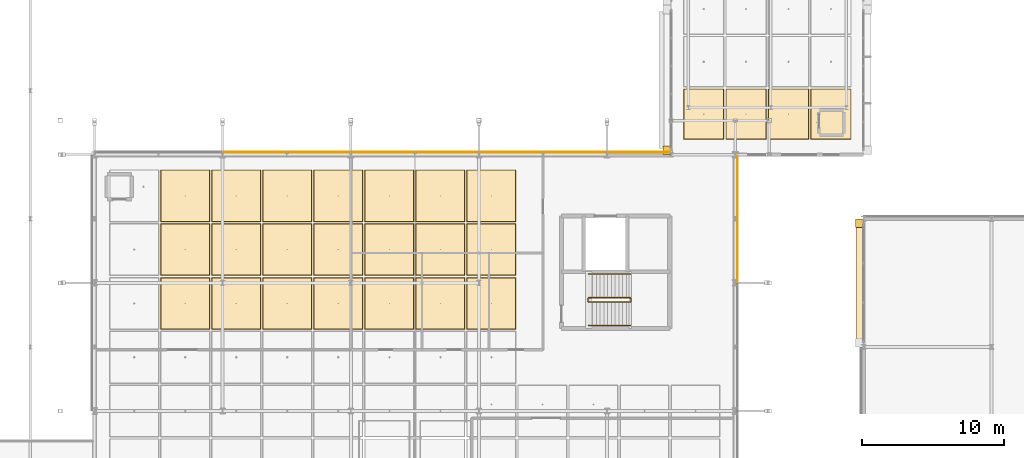
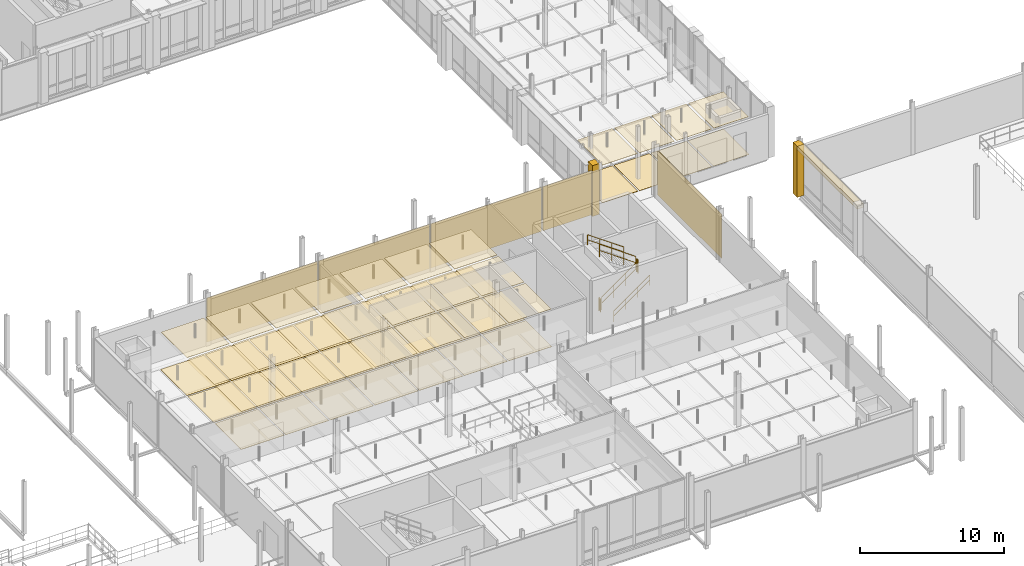
# One storey, part 121 of 130: 58 coverings, 6 railings.
"""IFC4 building model written with IfcOpenShell, lengths in metres."""

from ifc_helpers import new_model, si_unit, direction, frame, origin, origin_2d, place, context, subcontext, project, spatial, rectangle, circle, extrude, material, layer, layer_set, type_object, element, save


model = new_model("IFC4")

# Units and contexts
model_context = context("Model", 3, precision=1e-05, world=origin(), true_north=direction((0.0, 1.0)))
body_context = subcontext(model_context, "Body", "Model", "MODEL_VIEW")
ifc_project = project(units=[si_unit("LENGTHUNIT", "METRE"), si_unit("AREAUNIT", "SQUARE_METRE"), si_unit("VOLUMEUNIT", "CUBIC_METRE"), si_unit("PLANEANGLEUNIT", "RADIAN"), si_unit("MASSUNIT", "GRAM", prefix="KILO"), si_unit("THERMODYNAMICTEMPERATUREUNIT", "KELVIN"), si_unit("POWERUNIT", "WATT")], contexts=[model_context])

# Site, building, storey
site_placement = place(None, origin())
site = spatial("IfcSite", under=ifc_project, at=site_placement, CompositionType="ELEMENT")
building_placement = place(site_placement, origin())
building = spatial("IfcBuilding", under=site, at=building_placement, Name="Tallowbark Science Centre", CompositionType="ELEMENT")
storey_placement = place(building_placement, frame((0.0, 0.0, 5.39990234375)))
storey = spatial("IfcBuildingStorey", under=building, at=storey_placement, Name="L01", CompositionType="ELEMENT", Elevation=5.39990234375)

# Coverings
ifc_material_1 = material(Name="Perforated Spotted Gum Acoustic Baffle Ceiling", Category="wood")
ifc_layer_1 = layer(ifc_material_1, 0.02490234375)
ifc_layer_set_1 = layer_set([ifc_layer_1], Name="Perforated Spotted Gum Acoustic Baffle Ceiling")
covering_type_1 = type_object("IfcCoveringType", Name="CLG-TIM-25", PredefinedType="CEILING", material=ifc_layer_set_1)
for number, where, z_axis, x_axis, name in (
    (1, (64.875, 30.0556640625, 3.187744140625), (0.0, 0.0, 1.0), (1.0, 0.0, 0.0), "Suspended Ceiling L01-492"),
    (2, (64.875, 33.833251953125, 3.187744140625), (0.0, 0.0, 1.0), (1.0, 0.0, 0.0), "Suspended Ceiling L01-493"),
    (3, (64.875, 37.611083984375, 3.187744140625), (0.0, 0.0, 1.0), (1.0, 0.0, 0.0), "Suspended Ceiling L01-494"),
    (4, (68.458251953125, 30.0556640625, 3.187744140625), (0.0, 0.0, 1.0), (1.0, 0.0, 0.0), "Suspended Ceiling L01-498"),
    (5, (68.458251953125, 33.833251953125, 3.187744140625), (0.0, 0.0, 1.0), (1.0, 0.0, 0.0), "Suspended Ceiling L01-499"),
    (6, (68.458251953125, 37.611083984375, 3.187744140625), (0.0, 0.0, 1.0), (1.0, 0.0, 0.0), "Suspended Ceiling L01-500"),
    (7, (72.041748046875, 30.0556640625, 3.187744140625), (0.0, 0.0, 1.0), (1.0, 0.0, 0.0), "Suspended Ceiling L01-504"),
    (8, (72.041748046875, 33.833251953125, 3.187744140625), (0.0, 0.0, 1.0), (1.0, 0.0, 0.0), "Suspended Ceiling L01-505"),
    (9, (72.041748046875, 37.611083984375, 3.187744140625), (0.0, 0.0, 1.0), (1.0, 0.0, 0.0), "Suspended Ceiling L01-506"),
    (10, (75.625, 30.0556640625, 3.187744140625), (0.0, 0.0, 1.0), (1.0, 0.0, 0.0), "Suspended Ceiling L01-513"),
    (11, (75.625, 33.833251953125, 3.187744140625), (0.0, 0.0, 1.0), (1.0, 0.0, 0.0), "Suspended Ceiling L01-514"),
    (12, (75.625, 37.611083984375, 3.187744140625), (0.0, 0.0, 1.0), (1.0, 0.0, 0.0), "Suspended Ceiling L01-515"),
    (13, (79.208251953125, 30.0556640625, 3.187744140625), (0.0, 0.0, 1.0), (1.0, 0.0, 0.0), "Suspended Ceiling L01-522"),
    (14, (79.208251953125, 33.833251953125, 3.187744140625), (0.0, 0.0, 1.0), (1.0, 0.0, 0.0), "Suspended Ceiling L01-523"),
    (15, (79.208251953125, 37.611083984375, 3.187744140625), (0.0, 0.0, 1.0), (1.0, 0.0, 0.0), "Suspended Ceiling L01-524"),
    (16, (82.791748046875, 30.0556640625, 3.187744140625), (0.0, 0.0, 1.0), (1.0, 0.0, 0.0), "Suspended Ceiling L01-531"),
    (17, (82.791748046875, 33.833251953125, 3.187744140625), (0.0, 0.0, 1.0), (1.0, 0.0, 0.0), "Suspended Ceiling L01-532"),
    (18, (82.791748046875, 37.611083984375, 3.187744140625), (0.0, 0.0, 1.0), (1.0, 0.0, 0.0), "Suspended Ceiling L01-533"),
    (19, (86.375, 30.0556640625, 3.187744140625), (0.0, 0.0, 1.0), (1.0, 0.0, 0.0), "Suspended Ceiling L01-540"),
    (20, (86.375, 33.833251953125, 3.187744140625), (0.0, 0.0, 1.0), (1.0, 0.0, 0.0), "Suspended Ceiling L01-541"),
    (21, (86.375, 37.611083984375, 3.187744140625), (0.0, 0.0, 1.0), (1.0, 0.0, 0.0), "Suspended Ceiling L01-542"),
):
    element("IfcCovering", number, at=place(storey_placement, frame(where, z_axis=z_axis, x_axis=x_axis)), inside=storey, type_object=covering_type_1, Name=name, PredefinedType="CEILING", context=body_context, shape_type="SweptSolid", body=[
        extrude(rectangle(XDim=3.4033203125, YDim=3.597900390625, at=origin_2d()), origin(), (0.0, 0.0, 1.0), 0.02490234375),
    ])
for number, where, z_axis, x_axis, name in (
    (22, (101.28759765625, 43.34375, 3.187744140625), (0.0, 0.0, 1.0), (1.0, 0.0, 0.0), "Suspended Ceiling L01-563"),
    (23, (104.262451171875, 43.34375, 3.187744140625), (0.0, 0.0, 1.0), (1.0, 0.0, 0.0), "Suspended Ceiling L01-571"),
    (24, (107.237548828125, 43.34375, 3.187744140625), (0.0, 0.0, 1.0), (1.0, 0.0, 0.0), "Suspended Ceiling L01-579"),
    (25, (110.21240234375, 43.34375, 3.187744140625), (0.0, 0.0, 1.0), (1.0, 0.0, 0.0), "Suspended Ceiling L01-587"),
):
    element("IfcCovering", number, at=place(storey_placement, frame(where, z_axis=z_axis, x_axis=x_axis)), inside=storey, type_object=covering_type_1, Name=name, PredefinedType="CEILING", context=body_context, shape_type="SweptSolid", body=[
        extrude(rectangle(XDim=2.794921875, YDim=3.507568359375, at=origin_2d()), origin(), (0.0, 0.0, 1.0), 0.02490234375),
    ])
ifc_material_2 = material(Name="White Architectural Precast Concrete Grade N40 (40 MPa)", Category="concrete")
ifc_layer_2 = layer(ifc_material_2, 0.1201171875)
ifc_layer_set_2 = layer_set([ifc_layer_2], Name="White Architectural Precast Concrete Grade N40 (40 MPa)")
covering_type_2 = type_object("IfcCoveringType", Name="COV-PRC-CLAD", PredefinedType="CLADDING", material=ifc_layer_set_2)
for number, where, z_axis, x_axis, name in (
    (26, (112.219970703125, 35.695068359375, 0.0), (0.0, 0.0, 1.0), (0.0, -1.0, 0.0), "Postmodern Deep Precast Pier CW-L01-005-1"),
    (27, (98.719970703125, 40.804931640625, 0.0), (0.0, 0.0, 1.0), (0.0, -1.0, 0.0), "Postmodern Deep Precast Pier CW-L01-010-2"),
):
    element("IfcCovering", number, at=place(storey_placement, frame(where, z_axis=z_axis, x_axis=x_axis)), inside=storey, type_object=covering_type_2, Name=name, PredefinedType="CLADDING", context=body_context, shape_type="SweptSolid", body=[
        extrude(rectangle(XDim=0.610107421875, YDim=0.56005859375, at=origin_2d()), origin(), (0.0, 0.0, 1.0), 4.320068359375),
    ])
ifc_material_3 = material(Name="Vitrified Ochre Terracotta Architectural Rainscreen", Category="masonry")
ifc_layer_3 = layer(ifc_material_3, 0.0380859375)
ifc_layer_set_3 = layer_set([ifc_layer_3], Name="Vitrified Ochre Terracotta Architectural Rainscreen")
covering_type_3 = type_object("IfcCoveringType", Name="COV-TER-CLAD", PredefinedType="CLADDING", material=ifc_layer_set_3)
covering_1_placement = place(storey_placement, frame((112.239990234375, 31.5, 3.97021484375), z_axis=(0.0, 0.0, 1.0), x_axis=(0.0, -1.0, 0.0)))
element("IfcCovering", 28, at=covering_1_placement, inside=storey, type_object=covering_type_3, Name="Postmodern Terracotta Cornice Band CW-L01-005", PredefinedType="CLADDING", context=body_context, shape_type="SweptSolid", body=[
    extrude(rectangle(XDim=8.699951171875, YDim=0.52001953125, at=origin_2d()), origin(), (0.0, 0.0, 1.0), 0.340087890625),
])
ifc_material_4 = material(Name="Spotted Gum Hardwood Architectural Rainscreen", Category="wood")
ifc_layer_4 = layer(ifc_material_4, 0.0419921875)
ifc_layer_set_4 = layer_set([ifc_layer_4], Name="Spotted Gum Hardwood Architectural Rainscreen")
covering_type_4 = type_object("IfcCoveringType", Name="COV-TIM-CLAD", PredefinedType="CLADDING", material=ifc_layer_set_4)
for number, where, z_axis, x_axis, name in (
    (29, (72.0, 40.66845703125, 0.050048828125), (0.0, 0.0, 1.0), (-1.0, 0.0, 0.0), "Architectural Rainscreen CUB-N-L01-1"),
    (30, (81.0, 40.66845703125, 0.050048828125), (0.0, 0.0, 1.0), (-1.0, 0.0, 0.0), "Architectural Rainscreen CUB-N-L01-2"),
    (31, (90.0, 40.66845703125, 0.050048828125), (0.0, 0.0, 1.0), (-1.0, 0.0, 0.0), "Architectural Rainscreen CUB-N-L01-3"),
):
    element("IfcCovering", number, at=place(storey_placement, frame(where, z_axis=z_axis, x_axis=x_axis)), inside=storey, type_object=covering_type_4, Name=name, PredefinedType="CLADDING", context=body_context, shape_type="SweptSolid", body=[
        extrude(rectangle(XDim=8.8798828125, YDim=0.0419921875, at=origin_2d()), origin(), (0.0, 0.0, 1.0), 3.74609375),
    ])
covering_2_placement = place(storey_placement, frame((96.75, 40.66845703125, 0.050048828125), z_axis=(0.0, 0.0, 1.0), x_axis=(-1.0, 0.0, 0.0)))
element("IfcCovering", 32, at=covering_2_placement, inside=storey, type_object=covering_type_4, Name="Architectural Rainscreen CUB-N-L01-4", PredefinedType="CLADDING", context=body_context, shape_type="SweptSolid", body=[
    extrude(rectangle(XDim=4.3798828125, YDim=0.0419921875, at=origin_2d()), origin(), (0.0, 0.0, 1.0), 3.74609375),
])
covering_3_placement = place(storey_placement, frame((103.66845703125, 36.0, 0.050048828125), z_axis=(0.0, 0.0, 1.0), x_axis=(0.0, 1.0, 0.0)))
element("IfcCovering", 33, at=covering_3_placement, inside=storey, type_object=covering_type_4, Name="Architectural Rainscreen CUB-E-L01-3", PredefinedType="CLADDING", context=body_context, shape_type="SweptSolid", body=[
    extrude(rectangle(XDim=8.8798828125, YDim=0.0419921875, at=origin_2d()), origin(), (0.0, 0.0, 1.0), 3.74609375),
])
ifc_material_5 = material(Name="Polished Recycled-Glass Terrazzo Foyer Flooring", Category="glass")
ifc_layer_5 = layer(ifc_material_5, 0.02001953125)
ifc_layer_set_5 = layer_set([ifc_layer_5], Name="Polished Recycled-Glass Terrazzo Foyer Flooring")
covering_type_5 = type_object("IfcCoveringType", Name="FLR-TER-20", PredefinedType="FLOORING", material=ifc_layer_set_5)
for number, where, z_axis, x_axis, name in (
    (34, (101.28759765625, 43.34375, 0.0), (0.0, 0.0, 1.0), (1.0, 0.0, 0.0), "Floor Finish L01-563"),
    (35, (104.262451171875, 43.34375, 0.0), (0.0, 0.0, 1.0), (1.0, 0.0, 0.0), "Floor Finish L01-571"),
    (36, (107.237548828125, 43.34375, 0.0), (0.0, 0.0, 1.0), (1.0, 0.0, 0.0), "Floor Finish L01-579"),
    (37, (110.21240234375, 43.34375, 0.0), (0.0, 0.0, 1.0), (1.0, 0.0, 0.0), "Floor Finish L01-587"),
):
    element("IfcCovering", number, at=place(storey_placement, frame(where, z_axis=z_axis, x_axis=x_axis)), inside=storey, type_object=covering_type_5, Name=name, PredefinedType="FLOORING", context=body_context, shape_type="SweptSolid", body=[
        extrude(rectangle(XDim=2.85498046875, YDim=3.5673828125, at=origin_2d()), origin(), (0.0, 0.0, 1.0), 0.02001953125),
    ])
ifc_material_6 = material(Name="Engineered Blackbutt Gallery Timber Flooring", Category="wood")
ifc_layer_6 = layer(ifc_material_6, 0.02197265625)
ifc_layer_set_6 = layer_set([ifc_layer_6], Name="Engineered Blackbutt Gallery Timber Flooring")
covering_type_6 = type_object("IfcCoveringType", Name="FLR-TIM-22", PredefinedType="FLOORING", material=ifc_layer_set_6)
for number, where, z_axis, x_axis, name in (
    (38, (64.875, 30.0556640625, 0.0), (0.0, 0.0, 1.0), (1.0, 0.0, 0.0), "Floor Finish L01-492"),
    (39, (64.875, 33.833251953125, 0.0), (0.0, 0.0, 1.0), (1.0, 0.0, 0.0), "Floor Finish L01-493"),
    (40, (64.875, 37.611083984375, 0.0), (0.0, 0.0, 1.0), (1.0, 0.0, 0.0), "Floor Finish L01-494"),
    (41, (68.458251953125, 30.0556640625, 0.0), (0.0, 0.0, 1.0), (1.0, 0.0, 0.0), "Floor Finish L01-498"),
    (42, (68.458251953125, 33.833251953125, 0.0), (0.0, 0.0, 1.0), (1.0, 0.0, 0.0), "Floor Finish L01-499"),
    (43, (68.458251953125, 37.611083984375, 0.0), (0.0, 0.0, 1.0), (1.0, 0.0, 0.0), "Floor Finish L01-500"),
    (44, (72.041748046875, 30.0556640625, 0.0), (0.0, 0.0, 1.0), (1.0, 0.0, 0.0), "Floor Finish L01-504"),
    (45, (72.041748046875, 33.833251953125, 0.0), (0.0, 0.0, 1.0), (1.0, 0.0, 0.0), "Floor Finish L01-505"),
    (46, (72.041748046875, 37.611083984375, 0.0), (0.0, 0.0, 1.0), (1.0, 0.0, 0.0), "Floor Finish L01-506"),
    (47, (75.625, 30.0556640625, 0.0), (0.0, 0.0, 1.0), (1.0, 0.0, 0.0), "Floor Finish L01-513"),
    (48, (75.625, 33.833251953125, 0.0), (0.0, 0.0, 1.0), (1.0, 0.0, 0.0), "Floor Finish L01-514"),
    (49, (75.625, 37.611083984375, 0.0), (0.0, 0.0, 1.0), (1.0, 0.0, 0.0), "Floor Finish L01-515"),
    (50, (79.208251953125, 30.0556640625, 0.0), (0.0, 0.0, 1.0), (1.0, 0.0, 0.0), "Floor Finish L01-522"),
    (51, (79.208251953125, 33.833251953125, 0.0), (0.0, 0.0, 1.0), (1.0, 0.0, 0.0), "Floor Finish L01-523"),
    (52, (79.208251953125, 37.611083984375, 0.0), (0.0, 0.0, 1.0), (1.0, 0.0, 0.0), "Floor Finish L01-524"),
    (53, (82.791748046875, 30.0556640625, 0.0), (0.0, 0.0, 1.0), (1.0, 0.0, 0.0), "Floor Finish L01-531"),
    (54, (82.791748046875, 33.833251953125, 0.0), (0.0, 0.0, 1.0), (1.0, 0.0, 0.0), "Floor Finish L01-532"),
    (55, (82.791748046875, 37.611083984375, 0.0), (0.0, 0.0, 1.0), (1.0, 0.0, 0.0), "Floor Finish L01-533"),
    (56, (86.375, 30.0556640625, 0.0), (0.0, 0.0, 1.0), (1.0, 0.0, 0.0), "Floor Finish L01-540"),
    (57, (86.375, 33.833251953125, 0.0), (0.0, 0.0, 1.0), (1.0, 0.0, 0.0), "Floor Finish L01-541"),
    (58, (86.375, 37.611083984375, 0.0), (0.0, 0.0, 1.0), (1.0, 0.0, 0.0), "Floor Finish L01-542"),
):
    element("IfcCovering", number, at=place(storey_placement, frame(where, z_axis=z_axis, x_axis=x_axis)), inside=storey, type_object=covering_type_6, Name=name, PredefinedType="FLOORING", context=body_context, shape_type="SweptSolid", body=[
        extrude(rectangle(XDim=3.46337890625, YDim=3.65771484375, at=origin_2d()), origin(), (0.0, 0.0, 1.0), 0.02197265625),
    ])

# Railings
ifc_material_7 = material(Name="Galvanised Painted Steel and Laminated Glass Balustrade", Category="steel")
ifc_layer_7 = layer(ifc_material_7, 0.070068359375)
ifc_layer_set_7 = layer_set([ifc_layer_7], Name="Galvanised Painted Steel and Laminated Glass Balustrade")
railing_type_1 = type_object("IfcRailingType", Name="RLG-BAL-1150", PredefinedType="BALUSTRADE", material=ifc_layer_set_7)
railing_1_placement = place(storey_placement, frame((93.2099609375, 30.159912109375, 0.1875)))
element("IfcRailing", 59, at=railing_1_placement, inside=storey, type_object=railing_type_1, Name="L01 ST-03 stair guard 1", PredefinedType="BALUSTRADE", context=body_context, shape_type="SweptSolid", body=[
    extrude(circle(Radius=0.02392578125, at=origin_2d()), frame((0.0, 0.0, 1.076171875), z_axis=(0.816330724661, 0.0, 0.577584753931), x_axis=(0.0, 1.0, 0.0)), (0.0, 0.0, 1.0), 3.57080078125),
    extrude(circle(Radius=0.02392578125, at=origin_2d()), frame((0.0, 0.0, 0.550048828125), z_axis=(0.816330724661, 0.0, 0.577584753931), x_axis=(0.0, 1.0, 0.0)), (0.0, 0.0, 1.0), 3.57080078125),
    extrude(circle(Radius=0.02099609375, at=origin_2d()), origin(), (0.0, 0.0, 1.0), 1.052001953125),
    extrude(circle(Radius=0.02099609375, at=origin_2d()), frame((0.9716796875, 0.0, 0.6875)), (0.0, 0.0, 1.0), 1.052001953125),
    extrude(circle(Radius=0.02099609375, at=origin_2d()), frame((1.943359375, 0.0, 1.375)), (0.0, 0.0, 1.0), 1.052001953125),
    extrude(circle(Radius=0.02099609375, at=origin_2d()), frame((2.9150390625, 0.0, 2.0625)), (0.0, 0.0, 1.0), 1.052001953125),
])
railing_2_placement = place(storey_placement, frame((96.175048828125, 30.2099609375, 2.25)))
element("IfcRailing", 60, at=railing_2_placement, inside=storey, type_object=railing_type_1, Name="L01 ST-03 stair guard 2", PredefinedType="BALUSTRADE", context=body_context, shape_type="SweptSolid", body=[
    extrude(circle(Radius=0.02392578125, at=origin_2d()), frame((0.0, 0.0, 1.076171875), z_axis=(0.0, 1.0, 0.0), x_axis=(-1.0, 0.0, 0.0)), (0.0, 0.0, 1.0), 0.199951171875),
    extrude(circle(Radius=0.02392578125, at=origin_2d()), frame((0.0, 0.0, 0.550048828125), z_axis=(0.0, 1.0, 0.0), x_axis=(-1.0, 0.0, 0.0)), (0.0, 0.0, 1.0), 0.199951171875),
    extrude(circle(Radius=0.02099609375, at=origin_2d()), origin(), (0.0, 0.0, 1.0), 1.052001953125),
    extrude(circle(Radius=0.02099609375, at=origin_2d()), frame((0.0, 0.199951171875, 0.0)), (0.0, 0.0, 1.0), 1.052001953125),
])
railing_3_placement = place(storey_placement, frame((96.125, 30.4599609375, 2.4375)))
element("IfcRailing", 61, at=railing_3_placement, inside=storey, type_object=railing_type_1, Name="L01 ST-03 stair guard 3", PredefinedType="BALUSTRADE", context=body_context, shape_type="SweptSolid", body=[
    extrude(circle(Radius=0.02392578125, at=origin_2d()), frame((0.0, 0.0, 1.076171875), z_axis=(-0.816330724661, 0.0, 0.577584753931), x_axis=(0.0, -1.0, 0.0)), (0.0, 0.0, 1.0), 3.57080078125),
    extrude(circle(Radius=0.02392578125, at=origin_2d()), frame((0.0, 0.0, 0.550048828125), z_axis=(-0.816330724661, 0.0, 0.577584753931), x_axis=(0.0, -1.0, 0.0)), (0.0, 0.0, 1.0), 3.57080078125),
    extrude(circle(Radius=0.02099609375, at=origin_2d()), origin(), (0.0, 0.0, 1.0), 1.052001953125),
    extrude(circle(Radius=0.02099609375, at=origin_2d()), frame((-0.9716796875, 0.0, 0.6875)), (0.0, 0.0, 1.0), 1.052001953125),
    extrude(circle(Radius=0.02099609375, at=origin_2d()), frame((-1.943359375, 0.0, 1.375)), (0.0, 0.0, 1.0), 1.052001953125),
    extrude(circle(Radius=0.02099609375, at=origin_2d()), frame((-2.9150390625, 0.0, 2.0625)), (0.0, 0.0, 1.0), 1.052001953125),
])
railing_4_placement = place(storey_placement, frame((93.159912109375, 30.2099609375, 0.0)))
element("IfcRailing", 62, at=railing_4_placement, inside=storey, type_object=railing_type_1, Name="L01 ST-03 stair guard 4", PredefinedType="BALUSTRADE", context=body_context, shape_type="SweptSolid", body=[
    extrude(circle(Radius=0.02392578125, at=origin_2d()), frame((0.0, 0.0, 1.076171875), z_axis=(0.0, 1.0, 0.0), x_axis=(-1.0, 0.0, 0.0)), (0.0, 0.0, 1.0), 0.199951171875),
    extrude(circle(Radius=0.02392578125, at=origin_2d()), frame((0.0, 0.0, 0.550048828125), z_axis=(0.0, 1.0, 0.0), x_axis=(-1.0, 0.0, 0.0)), (0.0, 0.0, 1.0), 0.199951171875),
    extrude(circle(Radius=0.02099609375, at=origin_2d()), origin(), (0.0, 0.0, 1.0), 1.052001953125),
    extrude(circle(Radius=0.02099609375, at=origin_2d()), frame((0.0, 0.199951171875, 0.0)), (0.0, 0.0, 1.0), 1.052001953125),
])
ifc_material_8 = material(Name="Brushed Grade 316 Stainless Steel Handrail", Category="steel")
ifc_layer_8 = layer(ifc_material_8, 0.050048828125)
ifc_layer_set_8 = layer_set([ifc_layer_8], Name="Brushed Grade 316 Stainless Steel Handrail")
railing_type_2 = type_object("IfcRailingType", Name="RLG-HDR-950", PredefinedType="HANDRAIL", material=ifc_layer_set_8)
railing_5_placement = place(storey_placement, frame((93.2099609375, 28.5, 0.1875)))
element("IfcRailing", 63, at=railing_5_placement, inside=storey, type_object=railing_type_2, Name="L01 ST-03 stair handrail 1", PredefinedType="HANDRAIL", context=body_context, shape_type="SweptSolid", body=[
    extrude(circle(Radius=0.02392578125, at=origin_2d()), frame((0.0, 0.0, 0.8759765625), z_axis=(0.816330724661, 0.0, 0.577584753931), x_axis=(0.0, 1.0, 0.0)), (0.0, 0.0, 1.0), 3.57080078125),
    extrude(circle(Radius=0.02392578125, at=origin_2d()), frame((0.0, 0.0, 0.449951171875), z_axis=(0.816330724661, 0.0, 0.577584753931), x_axis=(0.0, 1.0, 0.0)), (0.0, 0.0, 1.0), 3.57080078125),
    extrude(circle(Radius=0.02099609375, at=origin_2d()), origin(), (0.0, 0.0, 1.0), 0.851806640625),
    extrude(circle(Radius=0.02099609375, at=origin_2d()), frame((0.9716796875, 0.0, 0.6875)), (0.0, 0.0, 1.0), 0.851806640625),
    extrude(circle(Radius=0.02099609375, at=origin_2d()), frame((1.943359375, 0.0, 1.375)), (0.0, 0.0, 1.0), 0.851806640625),
    extrude(circle(Radius=0.02099609375, at=origin_2d()), frame((2.9150390625, 0.0, 2.0625)), (0.0, 0.0, 1.0), 0.851806640625),
])
railing_6_placement = place(storey_placement, frame((96.125, 32.1201171875, 2.4375)))
element("IfcRailing", 64, at=railing_6_placement, inside=storey, type_object=railing_type_2, Name="L01 ST-03 stair handrail 2", PredefinedType="HANDRAIL", context=body_context, shape_type="SweptSolid", body=[
    extrude(circle(Radius=0.02392578125, at=origin_2d()), frame((0.0, 0.0, 0.8759765625), z_axis=(-0.816330724661, 0.0, 0.577584753931), x_axis=(0.0, -1.0, 0.0)), (0.0, 0.0, 1.0), 3.57080078125),
    extrude(circle(Radius=0.02392578125, at=origin_2d()), frame((0.0, 0.0, 0.449951171875), z_axis=(-0.816330724661, 0.0, 0.577584753931), x_axis=(0.0, -1.0, 0.0)), (0.0, 0.0, 1.0), 3.57080078125),
    extrude(circle(Radius=0.02099609375, at=origin_2d()), origin(), (0.0, 0.0, 1.0), 0.851806640625),
    extrude(circle(Radius=0.02099609375, at=origin_2d()), frame((-0.9716796875, 0.0, 0.6875)), (0.0, 0.0, 1.0), 0.851806640625),
    extrude(circle(Radius=0.02099609375, at=origin_2d()), frame((-1.943359375, 0.0, 1.375)), (0.0, 0.0, 1.0), 0.851806640625),
    extrude(circle(Radius=0.02099609375, at=origin_2d()), frame((-2.9150390625, 0.0, 2.0625)), (0.0, 0.0, 1.0), 0.851806640625),
])

save(model, "model.ifc")
